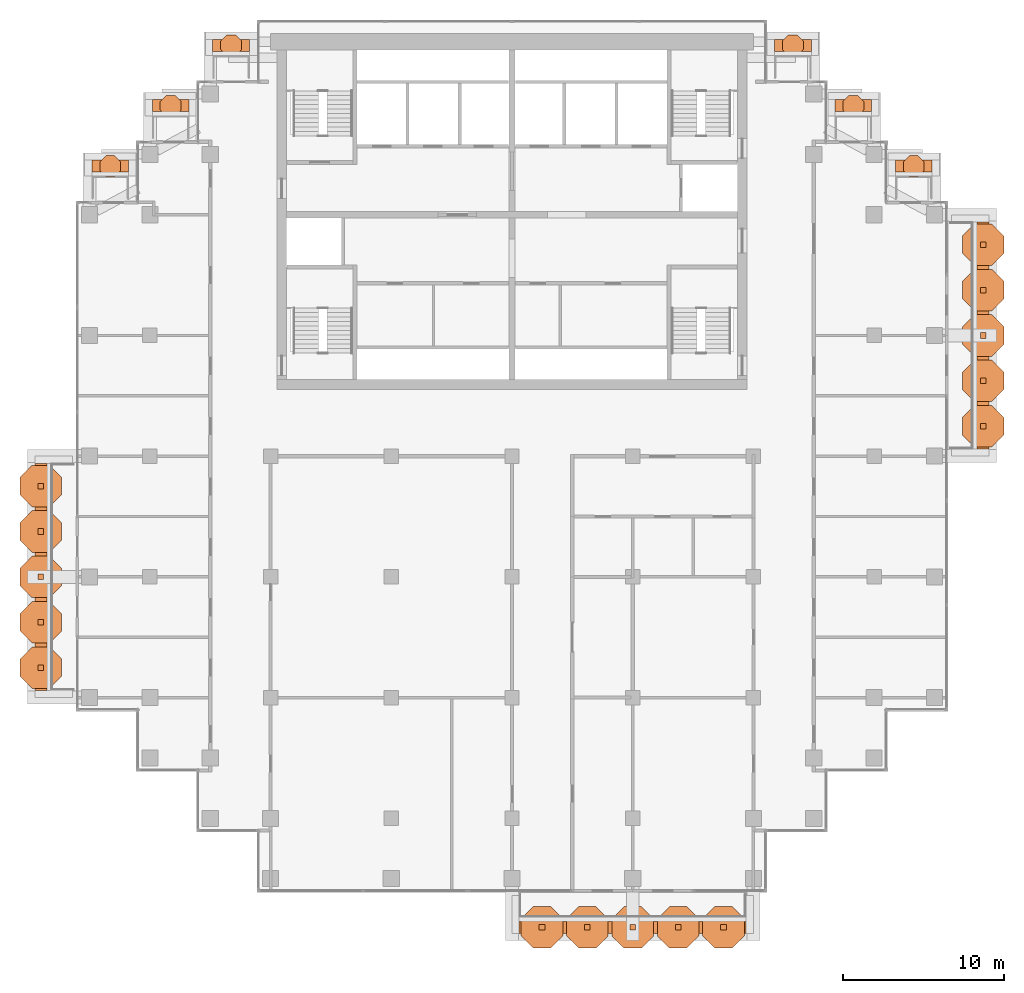
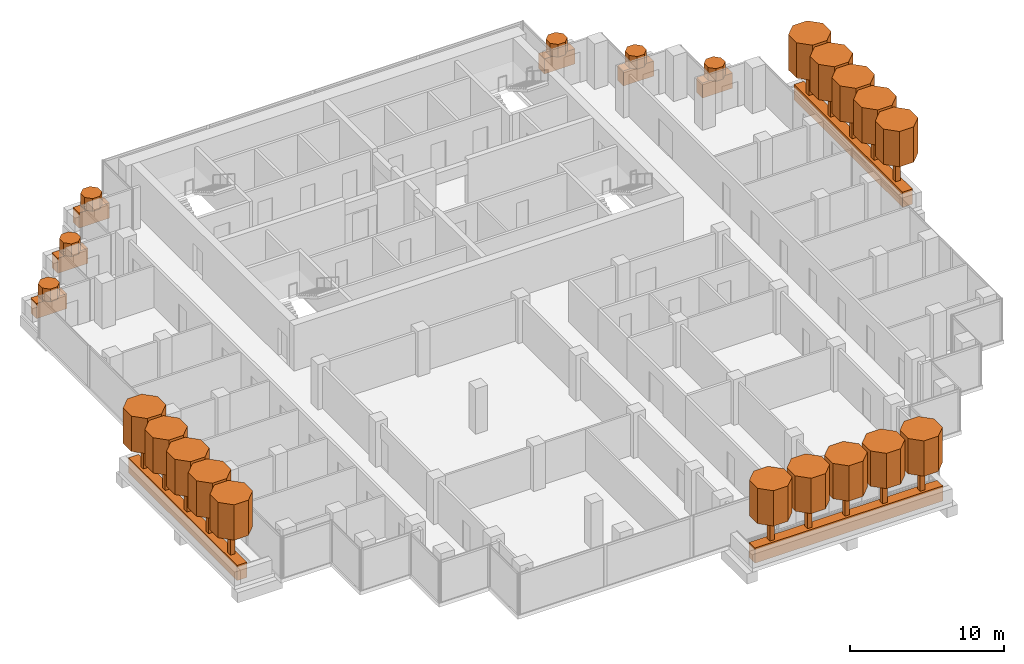
# One storey, part 19 of 19: 45 geographic elements.
"""IFC4 building model written with IfcOpenShell, lengths in metres."""

from ifc_helpers import new_model, si_unit, direction, frame, origin, origin_2d, place, context, subcontext, project, spatial, polyline, rectangle, outline, extrude, material, material_profile, profile_set, type_object, element, save


model = new_model("IFC4")

# Units and contexts
model_context = context("Model", 3, precision=1e-05, world=origin(), true_north=direction((0.0, 1.0)))
body_context = subcontext(model_context, "Body", "Model", "MODEL_VIEW")
ifc_project = project(units=[si_unit("LENGTHUNIT", "METRE"), si_unit("AREAUNIT", "SQUARE_METRE"), si_unit("VOLUMEUNIT", "CUBIC_METRE"), si_unit("PLANEANGLEUNIT", "RADIAN"), si_unit("MASSUNIT", "GRAM", prefix="KILO")], contexts=[model_context])

# Site, building, storey
site_placement = place(None, origin())
site = spatial("IfcSite", under=ifc_project, at=site_placement, CompositionType="ELEMENT")
building_placement = place(site_placement, origin())
building = spatial("IfcBuilding", under=site, at=building_placement, Name="Pilkhan Gate Tower", CompositionType="ELEMENT")
storey_placement = place(building_placement, frame((0.0, 0.0, 217.5)))
storey = spatial("IfcBuildingStorey", under=building, at=storey_placement, Name="L56", CompositionType="ELEMENT", Elevation=217.5)

# Geographic elements
ifc_material_1 = material(Name="Foliage")
ifc_material_profile_1 = material_profile(ifc_material_1, rectangle(XDim=0.75, YDim=1.199951171875, at=origin_2d()), Name="Bed 750x1200")
ifc_profile_set_1 = profile_set([ifc_material_profile_1], Name="Foliage")
geographic_element_type_1 = type_object("IfcGeographicElementType", Name="Planting bed PB1", PredefinedType="USERDEFINED", material=ifc_profile_set_1)
for number, where, z_axis, x_axis, name in (
    (1, (75.449951171875, 38.22509765625, 0.60009765625), (1.0, 0.0, 0.0), (0.0, 1.0, 0.0), "Balcony L56 S planting bed"),
    (2, (104.27490234375, 67.949951171875, 0.60009765625), (0.0, 1.0, 0.0), (-1.0, 0.0, 0.0), "Balcony L56 E planting bed"),
):
    element("IfcGeographicElement", number, at=place(storey_placement, frame(where, z_axis=z_axis, x_axis=x_axis)), inside=storey, type_object=geographic_element_type_1, Name=name, ObjectType="PLANTING BED", PredefinedType="USERDEFINED", context=body_context, shape_type="SweptSolid", body=[
        extrude(rectangle(XDim=0.75, YDim=1.199951171875, at=origin_2d()), origin(), (0.0, 0.0, 1.0), 14.10009765625),
    ])
for number, where, z_axis, x_axis, name in (
    (3, (56.39990234375, 93.02490234375, 0.60009765625), (1.0, 0.0, 0.0), (0.0, 1.0, 0.0), "Balcony L56 N planting bed"),
    (4, (91.300048828125, 93.02490234375, 0.60009765625), (1.0, 0.0, 0.0), (0.0, 1.0, 0.0), "Balcony L56 N planting bed"),
):
    element("IfcGeographicElement", number, at=place(storey_placement, frame(where, z_axis=z_axis, x_axis=x_axis)), inside=storey, type_object=geographic_element_type_1, Name=name, ObjectType="PLANTING BED", PredefinedType="USERDEFINED", context=body_context, shape_type="SweptSolid", body=[
        extrude(rectangle(XDim=0.75, YDim=1.199951171875, at=origin_2d()), origin(), (0.0, 0.0, 1.0), 2.300048828125),
    ])
for number, where, z_axis, x_axis, name in (
    (5, (52.64990234375, 89.27490234375, 0.60009765625), (1.0, 0.0, 0.0), (0.0, 1.0, 0.0), "Balcony L56 N planting bed"),
    (6, (48.89990234375, 85.52490234375, 0.60009765625), (1.0, 0.0, 0.0), (0.0, 1.0, 0.0), "Balcony L56 N planting bed"),
    (7, (95.070068359375, 89.27490234375, 0.60009765625), (1.0, 0.0, 0.0), (0.0, 1.0, 0.0), "Balcony L56 N planting bed"),
    (8, (98.820068359375, 85.52490234375, 0.60009765625), (1.0, 0.0, 0.0), (0.0, 1.0, 0.0), "Balcony L56 N planting bed"),
):
    element("IfcGeographicElement", number, at=place(storey_placement, frame(where, z_axis=z_axis, x_axis=x_axis)), inside=storey, type_object=geographic_element_type_1, Name=name, ObjectType="PLANTING BED", PredefinedType="USERDEFINED", context=body_context, shape_type="SweptSolid", body=[
        extrude(rectangle(XDim=0.75, YDim=1.199951171875, at=origin_2d()), origin(), (0.0, 0.0, 1.0), 2.280029296875),
    ])
geographic_element_placement = place(storey_placement, frame((45.72509765625, 52.949951171875, 0.60009765625), z_axis=(0.0, 1.0, 0.0), x_axis=(-1.0, 0.0, 0.0)))
element("IfcGeographicElement", 9, at=geographic_element_placement, inside=storey, type_object=geographic_element_type_1, Name="Balcony L56 W planting bed", ObjectType="PLANTING BED", PredefinedType="USERDEFINED", context=body_context, shape_type="SweptSolid", body=[
    extrude(rectangle(XDim=0.75, YDim=1.199951171875, at=origin_2d()), origin(), (0.0, 0.0, 1.0), 14.10009765625),
])
ifc_material_profile_2 = material_profile(ifc_material_1, outline(polyline([(0.646728515625, 0.267822265625), (0.267822265625, 0.646728515625), (-0.267822265625, 0.646728515625), (-0.646728515625, 0.267822265625), (-0.646728515625, -0.267822265625), (-0.267822265625, -0.646728515625), (0.267822265625, -0.646728515625), (0.646728515625, -0.267822265625), (0.646728515625, 0.267822265625)])), Name="Shrub D1.4")
ifc_profile_set_2 = profile_set([ifc_material_profile_2], Name="Foliage")
geographic_element_type_2 = type_object("IfcGeographicElementType", Name="Shrub SH07", PredefinedType="USERDEFINED", material=ifc_profile_set_2)
for number, where, z_axis, x_axis, name in (
    (10, (57.550048828125, 93.02490234375, 1.199951171875), (0.0, 0.0, 1.0), (1.0, 0.0, 0.0), "Shrub L56 N 1"),
    (11, (92.449951171875, 93.02490234375, 1.199951171875), (0.0, 0.0, 1.0), (1.0, 0.0, 0.0), "Shrub L56 N 1"),
    (12, (53.7900390625, 89.27490234375, 1.199951171875), (0.0, 0.0, 1.0), (1.0, 0.0, 0.0), "Shrub L56 N 1"),
    (13, (50.0400390625, 85.52490234375, 1.199951171875), (0.0, 0.0, 1.0), (1.0, 0.0, 0.0), "Shrub L56 N 1"),
    (14, (96.2099609375, 89.27490234375, 1.199951171875), (0.0, 0.0, 1.0), (1.0, 0.0, 0.0), "Shrub L56 N 1"),
    (15, (99.9599609375, 85.52490234375, 1.199951171875), (0.0, 0.0, 1.0), (1.0, 0.0, 0.0), "Shrub L56 N 1"),
):
    element("IfcGeographicElement", number, at=place(storey_placement, frame(where, z_axis=z_axis, x_axis=x_axis)), inside=storey, type_object=geographic_element_type_2, Name=name, ObjectType="SHRUB", PredefinedType="USERDEFINED", context=body_context, shape_type="SweptSolid", body=[
        extrude(outline(polyline([(0.646728515625, 0.267822265625), (0.267822265625, 0.646728515625), (-0.267822265625, 0.646728515625), (-0.646728515625, 0.267822265625), (-0.646728515625, -0.267822265625), (-0.267822265625, -0.646728515625), (0.267822265625, -0.646728515625), (0.646728515625, -0.267822265625), (0.646728515625, 0.267822265625)])), origin(), (0.0, 0.0, 1.0), 1.0),
    ])
ifc_material_profile_3 = material_profile(ifc_material_1, outline(polyline([(1.29345703125, 0.535888671875), (0.535888671875, 1.29345703125), (-0.535888671875, 1.29345703125), (-1.29345703125, 0.535888671875), (-1.29345703125, -0.535888671875), (-0.535888671875, -1.29345703125), (0.535888671875, -1.29345703125), (1.29345703125, -0.535888671875), (1.29345703125, 0.535888671875)])), Name="Canopy D2.8")
ifc_profile_set_3 = profile_set([ifc_material_profile_3], Name="Foliage")
geographic_element_type_3 = type_object("IfcGeographicElementType", Name="Tree canopy TC14", PredefinedType="USERDEFINED", material=ifc_profile_set_3)
for number, where, z_axis, x_axis, name in (
    (16, (76.860107421875, 38.22509765625, 3.199951171875), (0.0, 0.0, 1.0), (1.0, 0.0, 0.0), "Tree L56 S 1 canopy"),
    (17, (79.679931640625, 38.22509765625, 3.199951171875), (0.0, 0.0, 1.0), (1.0, 0.0, 0.0), "Tree L56 S 2 canopy"),
    (18, (82.5, 38.22509765625, 3.199951171875), (0.0, 0.0, 1.0), (1.0, 0.0, 0.0), "Tree L56 S 3 canopy"),
    (19, (85.320068359375, 38.22509765625, 3.199951171875), (0.0, 0.0, 1.0), (1.0, 0.0, 0.0), "Tree L56 S 4 canopy"),
    (20, (88.139892578125, 38.22509765625, 3.199951171875), (0.0, 0.0, 1.0), (1.0, 0.0, 0.0), "Tree L56 S 5 canopy"),
    (21, (104.27490234375, 69.360107421875, 3.199951171875), (0.0, 0.0, 1.0), (1.0, 0.0, 0.0), "Tree L56 E 1 canopy"),
    (22, (104.27490234375, 72.179931640625, 3.199951171875), (0.0, 0.0, 1.0), (1.0, 0.0, 0.0), "Tree L56 E 2 canopy"),
    (23, (104.27490234375, 75.0, 3.199951171875), (0.0, 0.0, 1.0), (1.0, 0.0, 0.0), "Tree L56 E 3 canopy"),
    (24, (104.27490234375, 77.820068359375, 3.199951171875), (0.0, 0.0, 1.0), (1.0, 0.0, 0.0), "Tree L56 E 4 canopy"),
    (25, (104.27490234375, 80.639892578125, 3.199951171875), (0.0, 0.0, 1.0), (1.0, 0.0, 0.0), "Tree L56 E 5 canopy"),
    (26, (45.72509765625, 54.360107421875, 3.199951171875), (0.0, 0.0, 1.0), (1.0, 0.0, 0.0), "Tree L56 W 1 canopy"),
    (27, (45.72509765625, 57.179931640625, 3.199951171875), (0.0, 0.0, 1.0), (1.0, 0.0, 0.0), "Tree L56 W 2 canopy"),
    (28, (45.72509765625, 60.0, 3.199951171875), (0.0, 0.0, 1.0), (1.0, 0.0, 0.0), "Tree L56 W 3 canopy"),
    (29, (45.72509765625, 62.820068359375, 3.199951171875), (0.0, 0.0, 1.0), (1.0, 0.0, 0.0), "Tree L56 W 4 canopy"),
    (30, (45.72509765625, 65.639892578125, 3.199951171875), (0.0, 0.0, 1.0), (1.0, 0.0, 0.0), "Tree L56 W 5 canopy"),
):
    element("IfcGeographicElement", number, at=place(storey_placement, frame(where, z_axis=z_axis, x_axis=x_axis)), inside=storey, type_object=geographic_element_type_3, Name=name, ObjectType="TREE", PredefinedType="USERDEFINED", context=body_context, shape_type="SweptSolid", body=[
        extrude(outline(polyline([(1.29345703125, 0.535888671875), (0.535888671875, 1.29345703125), (-0.535888671875, 1.29345703125), (-1.29345703125, 0.535888671875), (-1.29345703125, -0.535888671875), (-0.535888671875, -1.29345703125), (0.535888671875, -1.29345703125), (1.29345703125, -0.535888671875), (1.29345703125, 0.535888671875)])), origin(), (0.0, 0.0, 1.0), 2.800048828125),
    ])
ifc_material_2 = material(Name="Timber trunk", Category="wood")
geographic_element_type_4 = type_object("IfcGeographicElementType", Name="Tree trunk TT1", PredefinedType="USERDEFINED", material=ifc_material_2)
for number, where, z_axis, x_axis, name in (
    (31, (76.860107421875, 38.22509765625, 1.199951171875), (0.0, 0.0, 1.0), (1.0, 0.0, 0.0), "Tree L56 S 1 trunk"),
    (32, (79.679931640625, 38.22509765625, 1.199951171875), (0.0, 0.0, 1.0), (1.0, 0.0, 0.0), "Tree L56 S 2 trunk"),
    (33, (82.5, 38.22509765625, 1.199951171875), (0.0, 0.0, 1.0), (1.0, 0.0, 0.0), "Tree L56 S 3 trunk"),
    (34, (85.320068359375, 38.22509765625, 1.199951171875), (0.0, 0.0, 1.0), (1.0, 0.0, 0.0), "Tree L56 S 4 trunk"),
    (35, (88.139892578125, 38.22509765625, 1.199951171875), (0.0, 0.0, 1.0), (1.0, 0.0, 0.0), "Tree L56 S 5 trunk"),
    (36, (104.27490234375, 69.360107421875, 1.199951171875), (0.0, 0.0, 1.0), (1.0, 0.0, 0.0), "Tree L56 E 1 trunk"),
    (37, (104.27490234375, 72.179931640625, 1.199951171875), (0.0, 0.0, 1.0), (1.0, 0.0, 0.0), "Tree L56 E 2 trunk"),
    (38, (104.27490234375, 75.0, 1.199951171875), (0.0, 0.0, 1.0), (1.0, 0.0, 0.0), "Tree L56 E 3 trunk"),
    (39, (104.27490234375, 77.820068359375, 1.199951171875), (0.0, 0.0, 1.0), (1.0, 0.0, 0.0), "Tree L56 E 4 trunk"),
    (40, (104.27490234375, 80.639892578125, 1.199951171875), (0.0, 0.0, 1.0), (1.0, 0.0, 0.0), "Tree L56 E 5 trunk"),
    (41, (45.72509765625, 54.360107421875, 1.199951171875), (0.0, 0.0, 1.0), (1.0, 0.0, 0.0), "Tree L56 W 1 trunk"),
    (42, (45.72509765625, 57.179931640625, 1.199951171875), (0.0, 0.0, 1.0), (1.0, 0.0, 0.0), "Tree L56 W 2 trunk"),
    (43, (45.72509765625, 60.0, 1.199951171875), (0.0, 0.0, 1.0), (1.0, 0.0, 0.0), "Tree L56 W 3 trunk"),
    (44, (45.72509765625, 62.820068359375, 1.199951171875), (0.0, 0.0, 1.0), (1.0, 0.0, 0.0), "Tree L56 W 4 trunk"),
    (45, (45.72509765625, 65.639892578125, 1.199951171875), (0.0, 0.0, 1.0), (1.0, 0.0, 0.0), "Tree L56 W 5 trunk"),
):
    element("IfcGeographicElement", number, at=place(storey_placement, frame(where, z_axis=z_axis, x_axis=x_axis)), inside=storey, type_object=geographic_element_type_4, Name=name, ObjectType="TREE", PredefinedType="USERDEFINED", context=body_context, shape_type="SweptSolid", body=[
        extrude(rectangle(XDim=0.35009765625, YDim=0.35009765625, at=origin_2d()), origin(), (0.0, 0.0, 1.0), 2.0),
    ])

save(model, "model.ifc")
